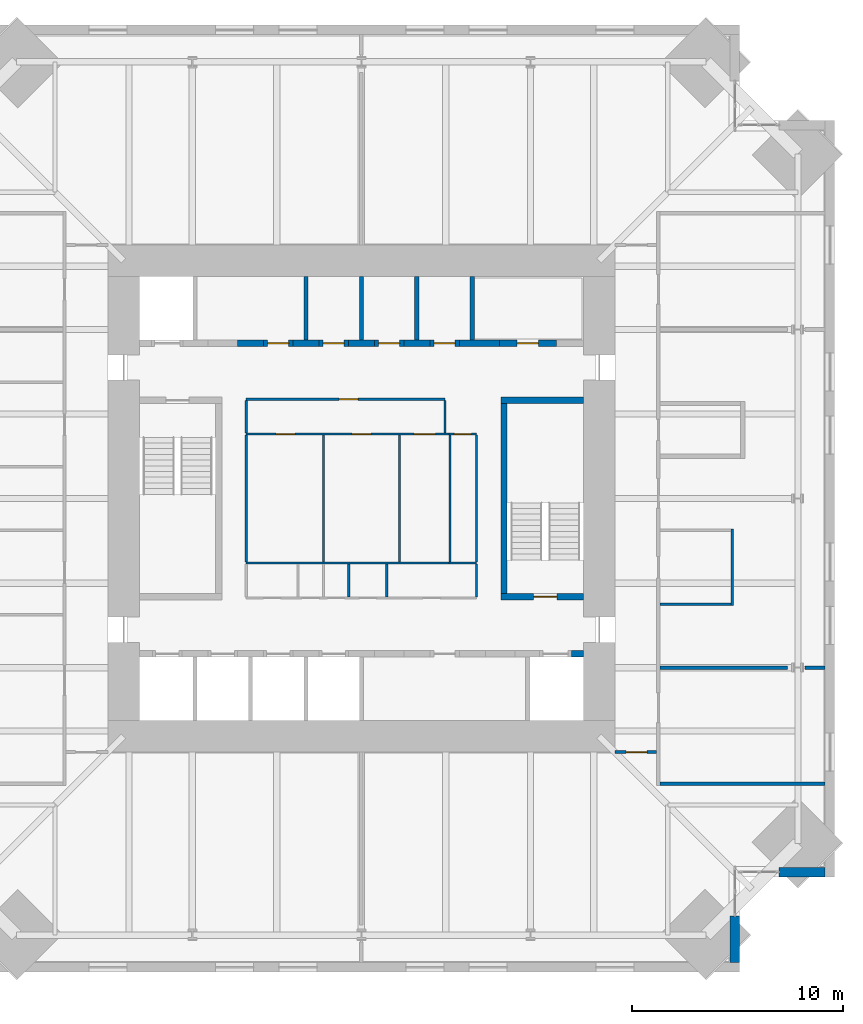
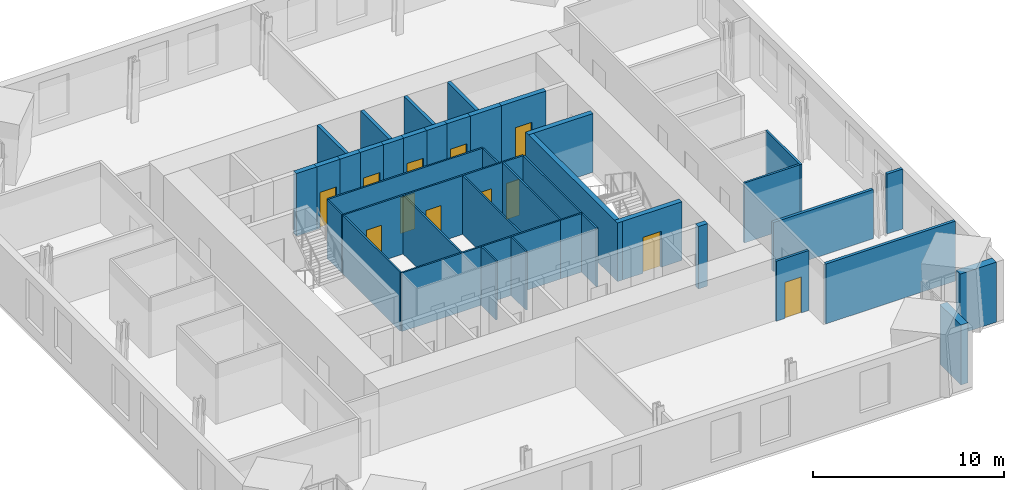
# One storey, part 14 of 17: 41 walls, 12 doors, 12 openings.
"""IFC4 building model written with IfcOpenShell, lengths in metres."""

from ifc_helpers import new_model, si_unit, direction, frame, frame_2d, origin, place, context, subcontext, project, spatial, rectangle, extrude, material, layer, layer_set, type_object, element, fill, save


model = new_model("IFC4")

# Units and contexts
model_context = context("Model", 3, precision=1e-05, world=origin(), true_north=direction((0.0, 1.0)))
body_context = subcontext(model_context, "Body", "Model", "MODEL_VIEW")
ifc_project = project(units=[si_unit("LENGTHUNIT", "METRE"), si_unit("AREAUNIT", "SQUARE_METRE"), si_unit("VOLUMEUNIT", "CUBIC_METRE"), si_unit("PLANEANGLEUNIT", "RADIAN"), si_unit("MASSUNIT", "GRAM", prefix="KILO")], contexts=[model_context])

# Site, building, storey
site_placement = place(None, origin())
site = spatial("IfcSite", under=ifc_project, at=site_placement, CompositionType="ELEMENT")
building_placement = place(site_placement, origin())
building = spatial("IfcBuilding", under=site, at=building_placement, Name="Peilmerk Tower", CompositionType="ELEMENT")
storey_placement = place(building_placement, frame((0.0, 0.0, 253.800048828125)))
storey = spatial("IfcBuildingStorey", under=building, at=storey_placement, Name="L56", CompositionType="ELEMENT", Elevation=253.800048828125)

# Walls
ifc_material_1 = material(Name="Precast concrete C45/55, board-marked finish", Category="concrete")
ifc_layer_1 = layer(ifc_material_1, 0.449951171875)
ifc_layer_set_1 = layer_set([ifc_layer_1], Name="Precast concrete C45/55, board-marked finish")
wall_type_1 = type_object("IfcWallType", Name="EW1 450 precast concrete facade wall, board-marked", PredefinedType="SOLIDWALL", material=ifc_layer_set_1)
for number, where, z_axis, x_axis, name in (
    (1, (17.675048828125, -19.753662109375, 0.0), (0.0, 0.0, 1.0), (0.0, -1.0, 0.0), "Facade wall SEA L56"),
    (2, (19.753662109375, -17.675048828125, 0.0), (0.0, 0.0, 1.0), (1.0, 0.0, 0.0), "Facade wall SEB L56"),
):
    element("IfcWall", number, at=place(storey_placement, frame(where, z_axis=z_axis, x_axis=x_axis)), inside=storey, type_object=wall_type_1, Name=name, PredefinedType="SOLIDWALL", context=body_context, shape_type="SweptSolid", body=[
        extrude(rectangle(XDim=2.1962890625, YDim=0.449951171875, at=frame_2d((1.09814453125, 0.0))), origin(), (0.0, 0.0, 1.0), 3.829833984375),
    ])

# Wall, opening, door
ifc_material_2 = material(Name="Calcium silicate block", Category="masonry")
ifc_layer_2 = layer(ifc_material_2, 0.14990234375)
ifc_layer_set_2 = layer_set([ifc_layer_2], Name="Calcium silicate block")
wall_type_2 = type_object("IfcWallType", Name="IW1 150 corridor partition, EI 60", PredefinedType="PARTITIONING", material=ifc_layer_set_2)
wall_1_placement = place(storey_placement, frame((13.97509765625, -12.0, 0.0), z_axis=(0.0, 0.0, 1.0), x_axis=(-1.0, 0.0, 0.0)))
wall_1 = element("IfcWall", 3, at=wall_1_placement, inside=storey, type_object=wall_type_2, Name="Corridor wall SE L56", PredefinedType="PARTITIONING", context=body_context, shape_type="SweptSolid", body=[
    extrude(rectangle(XDim=1.97509765625, YDim=0.14990234375, at=frame_2d((0.987548828125, 0.0))), origin(), (0.0, 0.0, 1.0), 3.829833984375),
])
opening_1_placement = place(wall_1_placement, frame((0.449951171875, 0.0, 0.0)))
opening_1 = element("IfcOpeningElement", 4, at=opening_1_placement, cuts=wall_1, Name="Opening D1", PredefinedType="OPENING", context=body_context, shape_type="SweptSolid", body=[
    extrude(rectangle(XDim=1.0, YDim=2.300048828125, at=frame_2d((0.5, 1.14990234375))), frame((0.0, 0.0849609375, 0.0), z_axis=(0.0, -1.0, 0.0), x_axis=(1.0, 0.0, 0.0)), (0.0, 0.0, 1.0), 0.169921875),
])
ifc_material_3 = material(Name="Timber door in steel frame", Category="steel")
door_type_1 = type_object("IfcDoorType", Name="D1 1000x2300 room door, EI2 30", OperationType="SINGLE_SWING_LEFT", PredefinedType="DOOR", material=ifc_material_3)
door_1_placement = place(opening_1_placement, origin())
door_1 = element("IfcDoor", 5, at=door_1_placement, inside=storey, type_object=door_type_1, Name="Door Tenant suite L56", OperationType="SINGLE_SWING_LEFT", OverallHeight=2.300048828125, OverallWidth=1.0, PredefinedType="DOOR", context=body_context, shape_type="SweptSolid", body=[
    extrude(rectangle(XDim=1.0, YDim=2.300048828125, at=frame_2d((0.5, 1.14990234375))), frame((0.0, 0.02490234375, 0.0), z_axis=(0.0, -1.0, 0.0), x_axis=(1.0, 0.0, 0.0)), (0.0, 0.0, 1.0), 0.050048828125),
])
fill(opening_1, door_1)

# Walls
ifc_material_4 = material(Name="Concrete C35/45", Category="concrete")
ifc_layer_3 = layer(ifc_material_4, 0.300048828125)
ifc_layer_set_3 = layer_set([ifc_layer_3], Name="Concrete C35/45")
wall_type_3 = type_object("IfcWallType", Name="IW3 300 concrete stair enclosure wall, EI 120", PredefinedType="SOLIDWALL", material=ifc_layer_set_3)
wall_2_placement = place(storey_placement, frame((6.75, -4.800048828125, 0.0), z_axis=(0.0, 0.0, 1.0), x_axis=(0.0, 1.0, 0.0)))
element("IfcWall", 6, at=wall_2_placement, inside=storey, type_object=wall_type_3, Name="Stair 2 enclosure L56", PredefinedType="SOLIDWALL", context=body_context, shape_type="SweptSolid", body=[
    extrude(rectangle(XDim=9.60009765625, YDim=0.300048828125, at=frame_2d((4.800048828125, 0.0))), origin(), (0.0, 0.0, 1.0), 3.75),
])
wall_3_placement = place(storey_placement, frame((6.60009765625, 4.64990234375, 0.0), z_axis=(0.0, 0.0, 1.0), x_axis=(1.0, 0.0, 0.0)))
element("IfcWall", 7, at=wall_3_placement, inside=storey, type_object=wall_type_3, Name="Stair 2 enclosure L56", PredefinedType="SOLIDWALL", context=body_context, shape_type="SweptSolid", body=[
    extrude(rectangle(XDim=3.89990234375, YDim=0.300048828125, at=frame_2d((1.949951171875, 0.0))), origin(), (0.0, 0.0, 1.0), 3.75),
])

# Wall, opening, door
wall_4_placement = place(storey_placement, frame((10.5, -4.64990234375, 0.0), z_axis=(0.0, 0.0, 1.0), x_axis=(-1.0, 0.0, 0.0)))
wall_4 = element("IfcWall", 8, at=wall_4_placement, inside=storey, type_object=wall_type_3, Name="Stair 2 enclosure L56", PredefinedType="SOLIDWALL", context=body_context, shape_type="SweptSolid", body=[
    extrude(rectangle(XDim=3.89990234375, YDim=0.300048828125, at=frame_2d((1.949951171875, 0.0))), origin(), (0.0, 0.0, 1.0), 3.75),
])
opening_2_placement = place(wall_4_placement, frame((1.25, 0.0, 0.0)))
opening_2 = element("IfcOpeningElement", 9, at=opening_2_placement, cuts=wall_4, Name="Opening D4", PredefinedType="OPENING", context=body_context, shape_type="SweptSolid", body=[
    extrude(rectangle(XDim=1.10009765625, YDim=2.300048828125, at=frame_2d((0.550048828125, 1.14990234375))), frame((0.0, 0.159912109375, 0.0), z_axis=(0.0, -1.0, 0.0), x_axis=(1.0, 0.0, 0.0)), (0.0, 0.0, 1.0), 0.320068359375),
])
ifc_material_5 = material(Name="Steel door in steel frame", Category="steel")
door_type_2 = type_object("IfcDoorType", Name="D4 1100x2300 stair door, EI2 60", OperationType="SINGLE_SWING_RIGHT", PredefinedType="DOOR", material=ifc_material_5)
door_2_placement = place(opening_2_placement, frame((1.10009765625, 0.0, 0.0), z_axis=(0.0, 0.0, 1.0), x_axis=(-1.0, 0.0, 0.0)))
door_2 = element("IfcDoor", 10, at=door_2_placement, inside=storey, type_object=door_type_2, Name="Stair 2 door L56", OperationType="SINGLE_SWING_RIGHT", OverallHeight=2.300048828125, OverallWidth=1.10009765625, PredefinedType="DOOR", context=body_context, shape_type="SweptSolid", body=[
    extrude(rectangle(XDim=1.10009765625, YDim=2.300048828125, at=frame_2d((0.550048828125, 1.14990234375))), frame((0.0, 0.02490234375, 0.0), z_axis=(0.0, -1.0, 0.0), x_axis=(1.0, 0.0, 0.0)), (0.0, 0.0, 1.0), 0.050048828125),
])
fill(opening_2, door_2)

# Wall, openings, doors
ifc_material_6 = material(Name="Plasterboard on steel studs", Category="steel")
ifc_layer_4 = layer(ifc_material_6, 0.10009765625)
ifc_layer_set_4 = layer_set([ifc_layer_4], Name="Plasterboard on steel studs")
wall_type_4 = type_object("IfcWallType", Name="IW4 100 WC partition", PredefinedType="PARTITIONING", material=ifc_layer_set_4)
wall_5_placement = place(storey_placement, frame((-5.449951171875, 3.050048828125, 0.0), z_axis=(0.0, 0.0, 1.0), x_axis=(1.0, 0.0, 0.0)))
wall_5 = element("IfcWall", 11, at=wall_5_placement, inside=storey, type_object=wall_type_4, Name="WC wall L56", PredefinedType="PARTITIONING", context=body_context, shape_type="SweptSolid", body=[
    extrude(rectangle(XDim=9.599853515625, YDim=0.10009765625, at=frame_2d((4.7998046875, 0.0))), origin(), (0.0, 0.0, 1.0), 3.75),
])
opening_3_placement = place(wall_5_placement, frame((1.39990234375, 0.0, 0.0)))
opening_3 = element("IfcOpeningElement", 12, at=opening_3_placement, cuts=wall_5, Name="Opening D5", PredefinedType="OPENING", context=body_context, shape_type="SweptSolid", body=[
    extrude(rectangle(XDim=0.89990234375, YDim=2.300048828125, at=frame_2d((0.449951171875, 1.14990234375))), frame((0.0, 0.06005859375, 0.0), z_axis=(0.0, -1.0, 0.0), x_axis=(1.0, 0.0, 0.0)), (0.0, 0.0, 1.0), 0.1201171875),
])
opening_4_placement = place(wall_5_placement, frame((5.0, 0.0, 0.0)))
opening_4 = element("IfcOpeningElement", 13, at=opening_4_placement, cuts=wall_5, Name="Opening D5", PredefinedType="OPENING", context=body_context, shape_type="SweptSolid", body=[
    extrude(rectangle(XDim=0.89990234375, YDim=2.300048828125, at=frame_2d((0.449951171875, 1.14990234375))), frame((0.0, 0.06005859375, 0.0), z_axis=(0.0, -1.0, 0.0), x_axis=(1.0, 0.0, 0.0)), (0.0, 0.0, 1.0), 0.1201171875),
])
opening_5_placement = place(wall_5_placement, frame((7.949951171875, 0.0, 0.0)))
opening_5 = element("IfcOpeningElement", 14, at=opening_5_placement, cuts=wall_5, Name="Opening D6", PredefinedType="OPENING", context=body_context, shape_type="SweptSolid", body=[
    extrude(rectangle(XDim=1.0, YDim=2.300048828125, at=frame_2d((0.5, 1.14990234375))), frame((0.0, 0.06005859375, 0.0), z_axis=(0.0, -1.0, 0.0), x_axis=(1.0, 0.0, 0.0)), (0.0, 0.0, 1.0), 0.1201171875),
])
door_type_3 = type_object("IfcDoorType", Name="D5 900x2300 WC door", OperationType="SINGLE_SWING_LEFT", PredefinedType="DOOR", material=ifc_material_3)
door_3_placement = place(opening_3_placement, frame((0.89990234375, 0.0, 0.0), z_axis=(0.0, 0.0, 1.0), x_axis=(-1.0, 0.0, 0.0)))
door_3 = element("IfcDoor", 15, at=door_3_placement, inside=storey, type_object=door_type_3, Name="Male toilets door L56", OperationType="SINGLE_SWING_LEFT", OverallHeight=2.300048828125, OverallWidth=0.89990234375, PredefinedType="DOOR", context=body_context, shape_type="SweptSolid", body=[
    extrude(rectangle(XDim=0.89990234375, YDim=2.300048828125, at=frame_2d((0.449951171875, 1.14990234375))), frame((0.0, 0.02490234375, 0.0), z_axis=(0.0, -1.0, 0.0), x_axis=(1.0, 0.0, 0.0)), (0.0, 0.0, 1.0), 0.050048828125),
])
fill(opening_3, door_3)
door_4_placement = place(opening_4_placement, frame((0.89990234375, 0.0, 0.0), z_axis=(0.0, 0.0, 1.0), x_axis=(-1.0, 0.0, 0.0)))
door_4 = element("IfcDoor", 16, at=door_4_placement, inside=storey, type_object=door_type_3, Name="Female toilets door L56", OperationType="SINGLE_SWING_LEFT", OverallHeight=2.300048828125, OverallWidth=0.89990234375, PredefinedType="DOOR", context=body_context, shape_type="SweptSolid", body=[
    extrude(rectangle(XDim=0.89990234375, YDim=2.300048828125, at=frame_2d((0.449951171875, 1.14990234375))), frame((0.0, 0.02490234375, 0.0), z_axis=(0.0, -1.0, 0.0), x_axis=(1.0, 0.0, 0.0)), (0.0, 0.0, 1.0), 0.050048828125),
])
fill(opening_4, door_4)
door_type_4 = type_object("IfcDoorType", Name="D6 1000x2300 accessible WC door", OperationType="SLIDING_TO_LEFT", PredefinedType="DOOR", material=ifc_material_3)
door_5_placement = place(opening_5_placement, frame((1.0, 0.0, 0.0), z_axis=(0.0, 0.0, 1.0), x_axis=(-1.0, 0.0, 0.0)))
door_5 = element("IfcDoor", 17, at=door_5_placement, inside=storey, type_object=door_type_4, Name="Accessible WC door L56", OperationType="SLIDING_TO_LEFT", OverallHeight=2.300048828125, OverallWidth=1.0, PredefinedType="DOOR", context=body_context, shape_type="SweptSolid", body=[
    extrude(rectangle(XDim=1.0, YDim=2.300048828125, at=frame_2d((0.5, 1.14990234375))), frame((0.0, 0.02490234375, 0.0), z_axis=(0.0, -1.0, 0.0), x_axis=(1.0, 0.0, 0.0)), (0.0, 0.0, 1.0), 0.050048828125),
])
fill(opening_5, door_5)

# Walls
wall_6_placement = place(storey_placement, frame((4.14990234375, -3.050048828125, 0.0), z_axis=(0.0, 0.0, 1.0), x_axis=(-1.0, 0.0, 0.0)))
element("IfcWall", 18, at=wall_6_placement, inside=storey, type_object=wall_type_4, Name="WC wall L56", PredefinedType="PARTITIONING", context=body_context, shape_type="SweptSolid", body=[
    extrude(rectangle(XDim=9.599853515625, YDim=0.10009765625, at=frame_2d((4.7998046875, 0.0))), origin(), (0.0, 0.0, 1.0), 3.75),
])
for number, where, z_axis, x_axis, name in (
    (19, (-5.449951171875, -3.0, 0.0), (0.0, 0.0, 1.0), (0.0, 1.0, 0.0), "WC wall L56"),
    (20, (-1.800048828125, -3.0, 0.0), (0.0, 0.0, 1.0), (0.0, 1.0, 0.0), "WC wall L56"),
    (21, (1.800048828125, -3.0, 0.0), (0.0, 0.0, 1.0), (0.0, 1.0, 0.0), "WC wall L56"),
):
    element("IfcWall", number, at=place(storey_placement, frame(where, z_axis=z_axis, x_axis=x_axis)), inside=storey, type_object=wall_type_4, Name=name, PredefinedType="PARTITIONING", context=body_context, shape_type="SweptSolid", body=[
        extrude(rectangle(XDim=6.0, YDim=0.10009765625, at=frame_2d((3.0, 0.0))), origin(), (0.0, 0.0, 1.0), 3.75),
    ])

# Wall, opening, door
ifc_material_7 = material(Name="Calcium silicate board on steel studs", Category="steel")
ifc_layer_5 = layer(ifc_material_7, 0.10009765625)
ifc_layer_set_5 = layer_set([ifc_layer_5], Name="Calcium silicate board on steel studs")
wall_type_5 = type_object("IfcWallType", Name="IW5 100 riser enclosure wall, EI 60", PredefinedType="PARTITIONING", material=ifc_layer_set_5)
wall_7_placement = place(storey_placement, frame((4.14990234375, 3.050048828125, 0.0), z_axis=(0.0, 0.0, 1.0), x_axis=(1.0, 0.0, 0.0)))
wall_7 = element("IfcWall", 22, at=wall_7_placement, inside=storey, type_object=wall_type_5, Name="Riser wall L56", PredefinedType="PARTITIONING", context=body_context, shape_type="SweptSolid", body=[
    extrude(rectangle(XDim=1.300048828125, YDim=0.10009765625, at=frame_2d((0.64990234375, 0.0))), origin(), (0.0, 0.0, 1.0), 3.75),
])
opening_6_placement = place(wall_7_placement, frame((0.25, 0.0, 0.0)))
opening_6 = element("IfcOpeningElement", 23, at=opening_6_placement, cuts=wall_7, Name="Opening D7", PredefinedType="OPENING", context=body_context, shape_type="SweptSolid", body=[
    extrude(rectangle(XDim=0.800048828125, YDim=2.300048828125, at=frame_2d((0.39990234375, 1.14990234375))), frame((0.0, 0.06005859375, 0.0), z_axis=(0.0, -1.0, 0.0), x_axis=(1.0, 0.0, 0.0)), (0.0, 0.0, 1.0), 0.1201171875),
])
door_type_5 = type_object("IfcDoorType", Name="D7 800x2300 riser access door, EI2 60", OperationType="SINGLE_SWING_RIGHT", PredefinedType="DOOR", material=ifc_material_5)
door_6_placement = place(opening_6_placement, frame((0.800048828125, 0.0, 0.0), z_axis=(0.0, 0.0, 1.0), x_axis=(-1.0, 0.0, 0.0)))
door_6 = element("IfcDoor", 24, at=door_6_placement, inside=storey, type_object=door_type_5, Name="Plumbing riser door L56", OperationType="SINGLE_SWING_RIGHT", OverallHeight=2.300048828125, OverallWidth=0.800048828125, PredefinedType="DOOR", context=body_context, shape_type="SweptSolid", body=[
    extrude(rectangle(XDim=0.800048828125, YDim=2.300048828125, at=frame_2d((0.39990234375, 1.14990234375))), frame((0.0, 0.02490234375, 0.0), z_axis=(0.0, -1.0, 0.0), x_axis=(1.0, 0.0, 0.0)), (0.0, 0.0, 1.0), 0.050048828125),
])
fill(opening_6, door_6)

# Walls
wall_8_placement = place(storey_placement, frame((5.449951171875, -3.050048828125, 0.0), z_axis=(0.0, 0.0, 1.0), x_axis=(-1.0, 0.0, 0.0)))
element("IfcWall", 25, at=wall_8_placement, inside=storey, type_object=wall_type_5, Name="Riser wall L56", PredefinedType="PARTITIONING", context=body_context, shape_type="SweptSolid", body=[
    extrude(rectangle(XDim=1.300048828125, YDim=0.10009765625, at=frame_2d((0.64990234375, 0.0))), origin(), (0.0, 0.0, 1.0), 3.75),
])
for number, where, z_axis, x_axis, name in (
    (26, (5.449951171875, 3.0, 0.0), (0.0, 0.0, 1.0), (0.0, -1.0, 0.0), "Riser wall L56"),
    (27, (4.199951171875, -3.0, 0.0), (0.0, 0.0, 1.0), (0.0, 1.0, 0.0), "Riser wall L56"),
):
    element("IfcWall", number, at=place(storey_placement, frame(where, z_axis=z_axis, x_axis=x_axis)), inside=storey, type_object=wall_type_5, Name=name, PredefinedType="PARTITIONING", context=body_context, shape_type="SweptSolid", body=[
        extrude(rectangle(XDim=6.0, YDim=0.10009765625, at=frame_2d((3.0, 0.0))), origin(), (0.0, 0.0, 1.0), 3.75),
    ])
for number, where, z_axis, x_axis, name in (
    (28, (5.449951171875, -3.10009765625, 0.0), (0.0, 0.0, 1.0), (0.0, -1.0, 0.0), "Riser wall L56"),
    (29, (-0.60009765625, -3.10009765625, 0.0), (0.0, 0.0, 1.0), (0.0, -1.0, 0.0), "Riser wall L56"),
    (30, (1.199951171875, -3.10009765625, 0.0), (0.0, 0.0, 1.0), (0.0, -1.0, 0.0), "Riser wall L56"),
):
    element("IfcWall", number, at=place(storey_placement, frame(where, z_axis=z_axis, x_axis=x_axis)), inside=storey, type_object=wall_type_5, Name=name, PredefinedType="PARTITIONING", context=body_context, shape_type="SweptSolid", body=[
        extrude(rectangle(XDim=1.5498046875, YDim=0.10009765625, at=frame_2d((0.77490234375, 0.0))), origin(), (0.0, 0.0, 1.0), 3.75),
    ])
ifc_material_8 = material(Name="Plasterboard on steel studs, double boarded with mineral wool", Category="steel")
ifc_layer_6 = layer(ifc_material_8, 0.125)
ifc_layer_set_6 = layer_set([ifc_layer_6], Name="Plasterboard on steel studs, double boarded with mineral wool")
wall_type_6 = type_object("IfcWallType", Name="IW7 125 acoustic partition, EI 30", PredefinedType="PARTITIONING", material=ifc_layer_set_6)
wall_9_placement = place(storey_placement, frame((17.550048828125, -5.0625, 0.0), z_axis=(0.0, 0.0, 1.0), x_axis=(0.0, 1.0, 0.0)))
element("IfcWall", 31, at=wall_9_placement, inside=storey, type_object=wall_type_6, Name="Acoustic partition Pantry L56", PredefinedType="PARTITIONING", context=body_context, shape_type="SweptSolid", body=[
    extrude(rectangle(XDim=3.625, YDim=0.125, at=frame_2d((1.8125, 0.0))), origin(), (0.0, 0.0, 1.0), 3.829833984375),
])
wall_10_placement = place(storey_placement, frame((14.125, -5.0, 0.0), z_axis=(0.0, 0.0, 1.0), x_axis=(1.0, 0.0, 0.0)))
element("IfcWall", 32, at=wall_10_placement, inside=storey, type_object=wall_type_6, Name="Acoustic partition Pantry L56", PredefinedType="PARTITIONING", context=body_context, shape_type="SweptSolid", body=[
    extrude(rectangle(XDim=3.362548828125, YDim=0.125, at=frame_2d((1.68115234375, 0.0))), origin(), (0.0, 0.0, 1.0), 3.829833984375),
])
ifc_layer_7 = layer(ifc_material_2, 0.175048828125)
ifc_layer_set_7 = layer_set([ifc_layer_7], Name="Calcium silicate block")
wall_type_7 = type_object("IfcWallType", Name="IW8 175 tenant separating wall, EI 60", PredefinedType="PARTITIONING", material=ifc_layer_set_7)
wall_11_placement = place(storey_placement, frame((21.949951171875, -13.5, 0.0), z_axis=(0.0, 0.0, 1.0), x_axis=(-1.0, 0.0, 0.0)))
element("IfcWall", 33, at=wall_11_placement, inside=storey, type_object=wall_type_7, Name="Tenant separating wall SE L56", PredefinedType="PARTITIONING", context=body_context, shape_type="SweptSolid", body=[
    extrude(rectangle(XDim=7.824951171875, YDim=0.175048828125, at=frame_2d((3.91259765625, 0.0))), origin(), (0.0, 0.0, 1.0), 3.829833984375),
])
wall_12_placement = place(storey_placement, frame((14.125, -8.0, 0.0), z_axis=(0.0, 0.0, 1.0), x_axis=(1.0, 0.0, 0.0)))
element("IfcWall", 34, at=wall_12_placement, inside=storey, type_object=wall_type_7, Name="Tenant separating wall E1 L56", PredefinedType="PARTITIONING", context=body_context, shape_type="SweptSolid", body=[
    extrude(rectangle(XDim=6.046875, YDim=0.175048828125, at=frame_2d((3.0234375, 0.0))), origin(), (0.0, 0.0, 1.0), 3.139892578125),
])
wall_13_placement = place(storey_placement, frame((20.992431640625, -8.0, 0.0), z_axis=(0.0, 0.0, 1.0), x_axis=(1.0, 0.0, 0.0)))
element("IfcWall", 35, at=wall_13_placement, inside=storey, type_object=wall_type_7, Name="Tenant separating wall E1b L56", PredefinedType="PARTITIONING", context=body_context, shape_type="SweptSolid", body=[
    extrude(rectangle(XDim=0.95751953125, YDim=0.175048828125, at=frame_2d((0.478759765625, 0.0))), origin(), (0.0, 0.0, 1.0), 3.829833984375),
])

# Wall, opening, door
ifc_material_9 = material(Name="Fire-resisting plasterboard on steel studs", Category="steel")
ifc_layer_8 = layer(ifc_material_9, 0.10009765625)
ifc_layer_set_8 = layer_set([ifc_layer_8], Name="Fire-resisting plasterboard on steel studs")
wall_type_8 = type_object("IfcWallType", Name="IW9 100 WC lobby wall, EI 30", PredefinedType="PARTITIONING", material=ifc_layer_set_8)
wall_14_placement = place(storey_placement, frame((-5.449951171875, 4.699951171875, 0.0), z_axis=(0.0, 0.0, 1.0), x_axis=(1.0, 0.0, 0.0)))
wall_14 = element("IfcWall", 36, at=wall_14_placement, inside=storey, type_object=wall_type_8, Name="WC lobby wall L56", PredefinedType="PARTITIONING", context=body_context, shape_type="SweptSolid", body=[
    extrude(rectangle(XDim=9.39990234375, YDim=0.10009765625, at=frame_2d((4.699951171875, 0.0))), origin(), (0.0, 0.0, 1.0), 3.75),
])
opening_7_placement = place(wall_14_placement, frame((4.39990234375, 0.0, 0.0)))
opening_7 = element("IfcOpeningElement", 37, at=opening_7_placement, cuts=wall_14, Name="Opening D11", PredefinedType="OPENING", context=body_context, shape_type="SweptSolid", body=[
    extrude(rectangle(XDim=0.89990234375, YDim=2.300048828125, at=frame_2d((0.449951171875, 1.14990234375))), frame((0.0, 0.06005859375, 0.0), z_axis=(0.0, -1.0, 0.0), x_axis=(1.0, 0.0, 0.0)), (0.0, 0.0, 1.0), 0.1201171875),
])
door_type_6 = type_object("IfcDoorType", Name="D11 900x2300 WC lobby door, EI2 30", OperationType="SINGLE_SWING_LEFT", PredefinedType="DOOR", material=ifc_material_3)
door_7_placement = place(opening_7_placement, frame((0.89990234375, 0.0, 0.0), z_axis=(0.0, 0.0, 1.0), x_axis=(-1.0, 0.0, 0.0)))
door_7 = element("IfcDoor", 38, at=door_7_placement, inside=storey, type_object=door_type_6, Name="WC lobby door L56", OperationType="SINGLE_SWING_LEFT", OverallHeight=2.300048828125, OverallWidth=0.89990234375, PredefinedType="DOOR", context=body_context, shape_type="SweptSolid", body=[
    extrude(rectangle(XDim=0.89990234375, YDim=2.300048828125, at=frame_2d((0.449951171875, 1.14990234375))), frame((0.0, 0.02490234375, 0.0), z_axis=(0.0, -1.0, 0.0), x_axis=(1.0, 0.0, 0.0)), (0.0, 0.0, 1.0), 0.050048828125),
])
fill(opening_7, door_7)

# Walls
for number, where, z_axis, x_axis, name in (
    (39, (-5.449951171875, 3.10009765625, 0.0), (0.0, 0.0, 1.0), (0.0, 1.0, 0.0), "WC lobby wall L56"),
    (40, (3.949951171875, 3.10009765625, 0.0), (0.0, 0.0, 1.0), (0.0, 1.0, 0.0), "WC lobby wall L56"),
):
    element("IfcWall", number, at=place(storey_placement, frame(where, z_axis=z_axis, x_axis=x_axis)), inside=storey, type_object=wall_type_8, Name=name, PredefinedType="PARTITIONING", context=body_context, shape_type="SweptSolid", body=[
        extrude(rectangle(XDim=1.5498046875, YDim=0.10009765625, at=frame_2d((0.77490234375, 0.0))), origin(), (0.0, 0.0, 1.0), 3.75),
    ])
ifc_layer_9 = layer(ifc_material_2, 0.199951171875)
ifc_layer_set_9 = layer_set([ifc_layer_9], Name="Calcium silicate block")
wall_type_9 = type_object("IfcWallType", Name="SH1 200 shaft dividing wall, EI 120", PredefinedType="PARTITIONING", material=ifc_layer_set_9)
for number, where, z_axis, x_axis, name in (
    (41, (-2.625, 7.5, 0.0), (0.0, 0.0, 1.0), (0.0, 1.0, 0.0), "Shaft wall N A2 L56"),
    (42, (0.0, 7.5, 0.0), (0.0, 0.0, 1.0), (0.0, 1.0, 0.0), "Shaft wall N A3 L56"),
    (43, (2.625, 7.5, 0.0), (0.0, 0.0, 1.0), (0.0, 1.0, 0.0), "Shaft wall N S1 L56"),
    (44, (5.25, 7.5, 0.0), (0.0, 0.0, 1.0), (0.0, 1.0, 0.0), "Shaft wall N S2 L56"),
):
    element("IfcWall", number, at=place(storey_placement, frame(where, z_axis=z_axis, x_axis=x_axis)), inside=storey, type_object=wall_type_9, Name=name, PredefinedType="PARTITIONING", context=body_context, shape_type="SweptSolid", body=[
        extrude(rectangle(XDim=3.0, YDim=0.199951171875, at=frame_2d((1.5, 0.0))), origin(), (0.0, 0.0, 1.0), 4.0),
    ])

# Wall, opening, door
ifc_layer_10 = layer(ifc_material_2, 0.300048828125)
ifc_layer_set_10 = layer_set([ifc_layer_10], Name="Calcium silicate block")
wall_type_10 = type_object("IfcWallType", Name="SH2 300 lift landing door panel, EI 120", PredefinedType="PARTITIONING", material=ifc_layer_set_10)
wall_15_placement = place(storey_placement, frame((-4.637451171875, 7.35009765625, 0.0), z_axis=(0.0, 0.0, 1.0), x_axis=(1.0, 0.0, 0.0)))
wall_15 = element("IfcWall", 45, at=wall_15_placement, inside=storey, type_object=wall_type_10, Name="Lift door panel N A2 L56", PredefinedType="PARTITIONING", context=body_context, shape_type="SweptSolid", body=[
    extrude(rectangle(XDim=1.39990234375, YDim=0.300048828125, at=frame_2d((0.699951171875, 0.0))), origin(), (0.0, 0.0, 1.0), 4.0),
])
opening_8_placement = place(wall_15_placement, frame((0.199951171875, 0.0, 0.0)))
opening_8 = element("IfcOpeningElement", 46, at=opening_8_placement, cuts=wall_15, Name="Opening D10", PredefinedType="OPENING", context=body_context, shape_type="SweptSolid", body=[
    extrude(rectangle(XDim=1.0, YDim=2.300048828125, at=frame_2d((0.5, 1.14990234375))), frame((0.0, 0.159912109375, 0.0), z_axis=(0.0, -1.0, 0.0), x_axis=(1.0, 0.0, 0.0)), (0.0, 0.0, 1.0), 0.320068359375),
])
door_type_7 = type_object("IfcDoorType", Name="D10 1000x2300 core room door, EI2 60", OperationType="SINGLE_SWING_RIGHT", PredefinedType="DOOR", material=ifc_material_5)
door_8_placement = place(opening_8_placement, origin())
door_8 = element("IfcDoor", 47, at=door_8_placement, inside=storey, type_object=door_type_7, Name="Door Staff room L56", OperationType="SINGLE_SWING_RIGHT", OverallHeight=2.300048828125, OverallWidth=1.0, PredefinedType="DOOR", context=body_context, shape_type="SweptSolid", body=[
    extrude(rectangle(XDim=1.0, YDim=2.300048828125, at=frame_2d((0.5, 1.14990234375))), frame((0.0, 0.02490234375, 0.0), z_axis=(0.0, -1.0, 0.0), x_axis=(1.0, 0.0, 0.0)), (0.0, 0.0, 1.0), 0.050048828125),
])
fill(opening_8, door_8)

wall_16_placement = place(storey_placement, frame((-2.012451171875, 7.35009765625, 0.0), z_axis=(0.0, 0.0, 1.0), x_axis=(1.0, 0.0, 0.0)))
wall_16 = element("IfcWall", 48, at=wall_16_placement, inside=storey, type_object=wall_type_10, Name="Lift door panel N A3 L56", PredefinedType="PARTITIONING", context=body_context, shape_type="SweptSolid", body=[
    extrude(rectangle(XDim=1.39990234375, YDim=0.300048828125, at=frame_2d((0.699951171875, 0.0))), origin(), (0.0, 0.0, 1.0), 4.0),
])
opening_9_placement = place(wall_16_placement, frame((0.199951171875, 0.0, 0.0)))
opening_9 = element("IfcOpeningElement", 49, at=opening_9_placement, cuts=wall_16, Name="Opening D10", PredefinedType="OPENING", context=body_context, shape_type="SweptSolid", body=[
    extrude(rectangle(XDim=1.0, YDim=2.300048828125, at=frame_2d((0.5, 1.14990234375))), frame((0.0, 0.159912109375, 0.0), z_axis=(0.0, -1.0, 0.0), x_axis=(1.0, 0.0, 0.0)), (0.0, 0.0, 1.0), 0.320068359375),
])
door_9_placement = place(opening_9_placement, origin())
door_9 = element("IfcDoor", 50, at=door_9_placement, inside=storey, type_object=door_type_7, Name="Door Water meter room L56", OperationType="SINGLE_SWING_RIGHT", OverallHeight=2.300048828125, OverallWidth=1.0, PredefinedType="DOOR", context=body_context, shape_type="SweptSolid", body=[
    extrude(rectangle(XDim=1.0, YDim=2.300048828125, at=frame_2d((0.5, 1.14990234375))), frame((0.0, 0.02490234375, 0.0), z_axis=(0.0, -1.0, 0.0), x_axis=(1.0, 0.0, 0.0)), (0.0, 0.0, 1.0), 0.050048828125),
])
fill(opening_9, door_9)

wall_17_placement = place(storey_placement, frame((0.612548828125, 7.35009765625, 0.0), z_axis=(0.0, 0.0, 1.0), x_axis=(1.0, 0.0, 0.0)))
wall_17 = element("IfcWall", 51, at=wall_17_placement, inside=storey, type_object=wall_type_10, Name="Lift door panel N S1 L56", PredefinedType="PARTITIONING", context=body_context, shape_type="SweptSolid", body=[
    extrude(rectangle(XDim=1.39990234375, YDim=0.300048828125, at=frame_2d((0.699951171875, 0.0))), origin(), (0.0, 0.0, 1.0), 4.0),
])
opening_10_placement = place(wall_17_placement, frame((0.199951171875, 0.0, 0.0)))
opening_10 = element("IfcOpeningElement", 52, at=opening_10_placement, cuts=wall_17, Name="Opening D10", PredefinedType="OPENING", context=body_context, shape_type="SweptSolid", body=[
    extrude(rectangle(XDim=1.0, YDim=2.300048828125, at=frame_2d((0.5, 1.14990234375))), frame((0.0, 0.159912109375, 0.0), z_axis=(0.0, -1.0, 0.0), x_axis=(1.0, 0.0, 0.0)), (0.0, 0.0, 1.0), 0.320068359375),
])
door_10_placement = place(opening_10_placement, origin())
door_10 = element("IfcDoor", 53, at=door_10_placement, inside=storey, type_object=door_type_7, Name="Door Staff WC L56", OperationType="SINGLE_SWING_RIGHT", OverallHeight=2.300048828125, OverallWidth=1.0, PredefinedType="DOOR", context=body_context, shape_type="SweptSolid", body=[
    extrude(rectangle(XDim=1.0, YDim=2.300048828125, at=frame_2d((0.5, 1.14990234375))), frame((0.0, 0.02490234375, 0.0), z_axis=(0.0, -1.0, 0.0), x_axis=(1.0, 0.0, 0.0)), (0.0, 0.0, 1.0), 0.050048828125),
])
fill(opening_10, door_10)

wall_18_placement = place(storey_placement, frame((3.237548828125, 7.35009765625, 0.0), z_axis=(0.0, 0.0, 1.0), x_axis=(1.0, 0.0, 0.0)))
wall_18 = element("IfcWall", 54, at=wall_18_placement, inside=storey, type_object=wall_type_10, Name="Lift door panel N S2 L56", PredefinedType="PARTITIONING", context=body_context, shape_type="SweptSolid", body=[
    extrude(rectangle(XDim=1.39990234375, YDim=0.300048828125, at=frame_2d((0.699951171875, 0.0))), origin(), (0.0, 0.0, 1.0), 4.0),
])
opening_11_placement = place(wall_18_placement, frame((0.199951171875, 0.0, 0.0)))
opening_11 = element("IfcOpeningElement", 55, at=opening_11_placement, cuts=wall_18, Name="Opening D10", PredefinedType="OPENING", context=body_context, shape_type="SweptSolid", body=[
    extrude(rectangle(XDim=1.0, YDim=2.300048828125, at=frame_2d((0.5, 1.14990234375))), frame((0.0, 0.159912109375, 0.0), z_axis=(0.0, -1.0, 0.0), x_axis=(1.0, 0.0, 0.0)), (0.0, 0.0, 1.0), 0.320068359375),
])
door_11_placement = place(opening_11_placement, origin())
door_11 = element("IfcDoor", 56, at=door_11_placement, inside=storey, type_object=door_type_7, Name="Door IT room L56", OperationType="SINGLE_SWING_RIGHT", OverallHeight=2.300048828125, OverallWidth=1.0, PredefinedType="DOOR", context=body_context, shape_type="SweptSolid", body=[
    extrude(rectangle(XDim=1.0, YDim=2.300048828125, at=frame_2d((0.5, 1.14990234375))), frame((0.0, 0.02490234375, 0.0), z_axis=(0.0, -1.0, 0.0), x_axis=(1.0, 0.0, 0.0)), (0.0, 0.0, 1.0), 0.050048828125),
])
fill(opening_11, door_11)

wall_19_placement = place(storey_placement, frame((6.52490234375, 7.35009765625, 0.0), z_axis=(0.0, 0.0, 1.0), x_axis=(1.0, 0.0, 0.0)))
wall_19 = element("IfcWall", 57, at=wall_19_placement, inside=storey, type_object=wall_type_10, Name="Lift door panel N GL1 L56", PredefinedType="PARTITIONING", context=body_context, shape_type="SweptSolid", body=[
    extrude(rectangle(XDim=2.7001953125, YDim=0.300048828125, at=frame_2d((1.35009765625, 0.0))), origin(), (0.0, 0.0, 1.0), 4.0),
])
opening_12_placement = place(wall_19_placement, frame((0.85009765625, 0.0, 0.0)))
opening_12 = element("IfcOpeningElement", 58, at=opening_12_placement, cuts=wall_19, Name="Opening D10", PredefinedType="OPENING", context=body_context, shape_type="SweptSolid", body=[
    extrude(rectangle(XDim=1.0, YDim=2.300048828125, at=frame_2d((0.5, 1.14990234375))), frame((0.0, 0.159912109375, 0.0), z_axis=(0.0, -1.0, 0.0), x_axis=(1.0, 0.0, 0.0)), (0.0, 0.0, 1.0), 0.320068359375),
])
door_12_placement = place(opening_12_placement, origin())
door_12 = element("IfcDoor", 59, at=door_12_placement, inside=storey, type_object=door_type_7, Name="Door Pantry L56", OperationType="SINGLE_SWING_RIGHT", OverallHeight=2.300048828125, OverallWidth=1.0, PredefinedType="DOOR", context=body_context, shape_type="SweptSolid", body=[
    extrude(rectangle(XDim=1.0, YDim=2.300048828125, at=frame_2d((0.5, 1.14990234375))), frame((0.0, 0.02490234375, 0.0), z_axis=(0.0, -1.0, 0.0), x_axis=(1.0, 0.0, 0.0)), (0.0, 0.0, 1.0), 0.050048828125),
])
fill(opening_12, door_12)

# Walls
ifc_material_10 = material(Name="Concrete C55/67", Category="concrete")
ifc_layer_11 = layer(ifc_material_10, 0.300048828125)
ifc_layer_set_11 = layer_set([ifc_layer_11], Name="Concrete C55/67")
wall_type_11 = type_object("IfcWallType", Name="SW2 300 lift bank pier", PredefinedType="SHEAR", material=ifc_layer_set_11)
for number, where, z_axis, x_axis, name in (
    (60, (-5.862548828125, 7.35009765625, 0.0), (0.0, 0.0, 1.0), (1.0, 0.0, 0.0), "Lift bank pier N L56"),
    (61, (-3.237548828125, 7.35009765625, 0.0), (0.0, 0.0, 1.0), (1.0, 0.0, 0.0), "Lift bank pier N L56"),
    (62, (-0.612548828125, 7.35009765625, 0.0), (0.0, 0.0, 1.0), (1.0, 0.0, 0.0), "Lift bank pier N L56"),
    (63, (2.012451171875, 7.35009765625, 0.0), (0.0, 0.0, 1.0), (1.0, 0.0, 0.0), "Lift bank pier N L56"),
):
    element("IfcWall", number, at=place(storey_placement, frame(where, z_axis=z_axis, x_axis=x_axis)), inside=storey, type_object=wall_type_11, Name=name, PredefinedType="SHEAR", context=body_context, shape_type="SweptSolid", body=[
        extrude(rectangle(XDim=1.22509765625, YDim=0.300048828125, at=frame_2d((0.612548828125, 0.0))), origin(), (0.0, 0.0, 1.0), 4.0),
    ])
wall_20_placement = place(storey_placement, frame((4.637451171875, 7.35009765625, 0.0), z_axis=(0.0, 0.0, 1.0), x_axis=(1.0, 0.0, 0.0)))
element("IfcWall", 64, at=wall_20_placement, inside=storey, type_object=wall_type_11, Name="Lift bank pier N L56", PredefinedType="SHEAR", context=body_context, shape_type="SweptSolid", body=[
    extrude(rectangle(XDim=1.887451171875, YDim=0.300048828125, at=frame_2d((0.94384765625, 0.0))), origin(), (0.0, 0.0, 1.0), 4.0),
])
wall_21_placement = place(storey_placement, frame((9.9375, -7.35009765625, 0.0), z_axis=(0.0, 0.0, 1.0), x_axis=(1.0, 0.0, 0.0)))
element("IfcWall", 65, at=wall_21_placement, inside=storey, type_object=wall_type_11, Name="Lift bank pier S L56", PredefinedType="SHEAR", context=body_context, shape_type="SweptSolid", body=[
    extrude(rectangle(XDim=0.5625, YDim=0.300048828125, at=frame_2d((0.28125, 0.0))), origin(), (0.0, 0.0, 1.0), 4.0),
])

save(model, "model.ifc")
